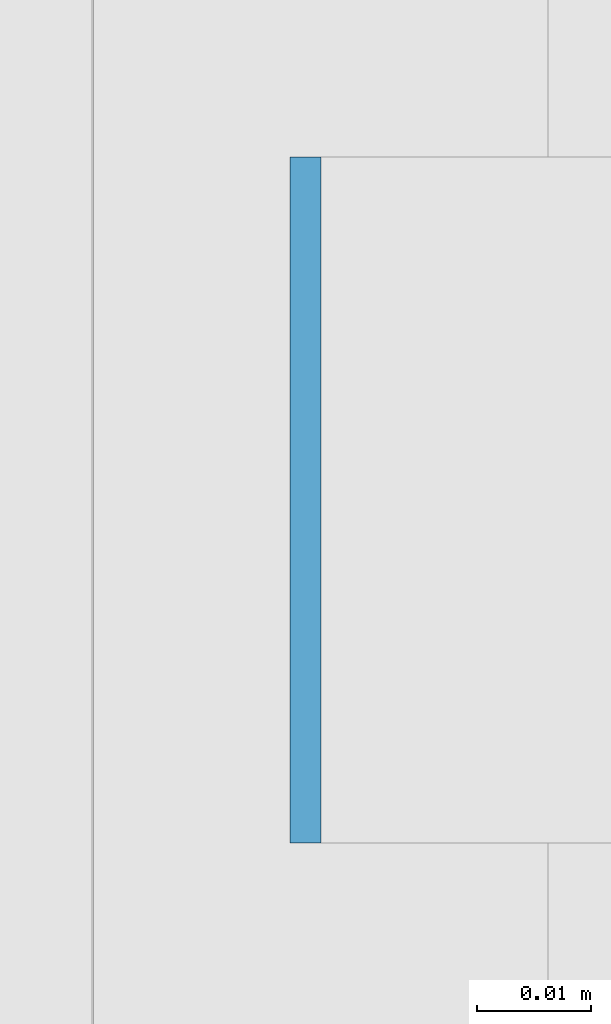
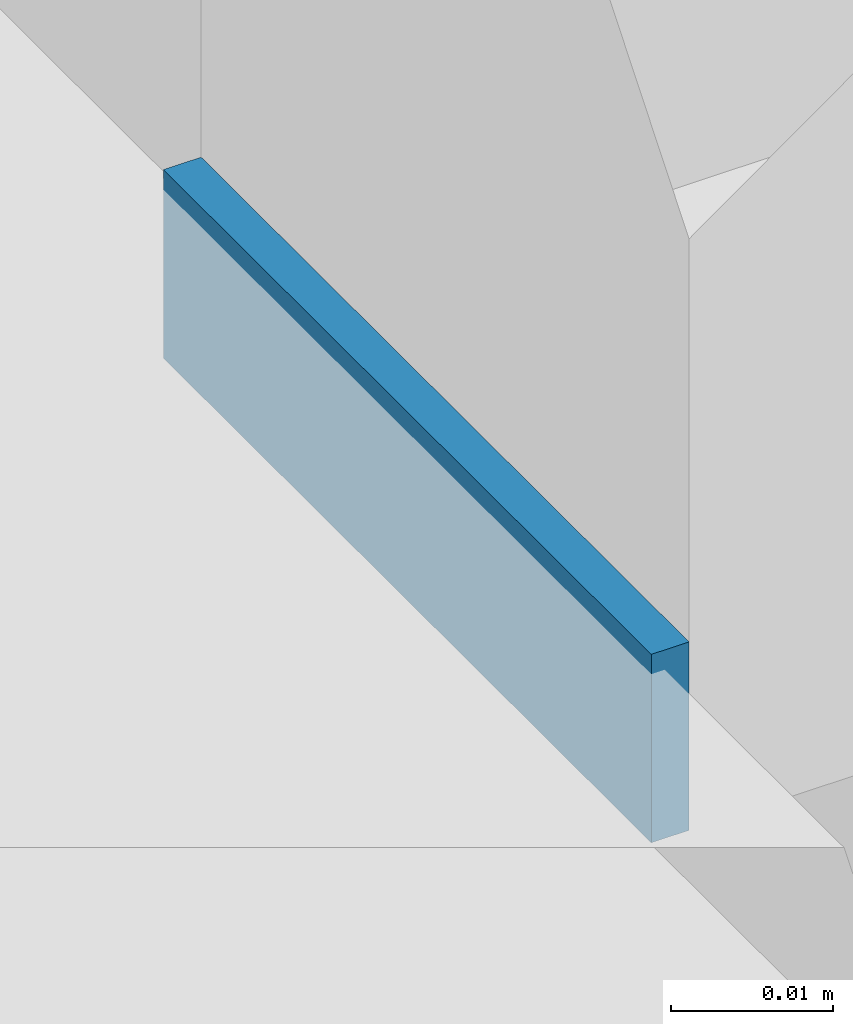
# One storey, part 522 of 646: 1 discrete accessory.
"""IFC4 building model written with IfcOpenShell, lengths in metres."""

from ifc_helpers import new_model, si_unit, direction, frame, origin, origin_2d, place, context, subcontext, project, spatial, rectangle, extrude, material, type_object, element, save


model = new_model("IFC4")

# Units and contexts
model_context = context("Model", 3, precision=1e-05, world=origin(), true_north=direction((0.0, 1.0)))
body_context = subcontext(model_context, "Body", "Model", "MODEL_VIEW")
ifc_project = project(units=[si_unit("LENGTHUNIT", "METRE"), si_unit("AREAUNIT", "SQUARE_METRE"), si_unit("VOLUMEUNIT", "CUBIC_METRE"), si_unit("PLANEANGLEUNIT", "RADIAN"), si_unit("MASSUNIT", "GRAM", prefix="KILO")], contexts=[model_context])

# Site, building, storey
site_placement = place(None, origin())
site = spatial("IfcSite", under=ifc_project, at=site_placement, CompositionType="ELEMENT")
building_placement = place(site_placement, origin())
building = spatial("IfcBuilding", under=site, at=building_placement, Name="Silverbay Arena", CompositionType="ELEMENT")
storey_placement = place(building_placement, frame((0.0, 0.0, 33.5)))
storey = spatial("IfcBuildingStorey", under=building, at=storey_placement, Name="L05", CompositionType="ELEMENT", Elevation=33.5)

# Discrete accessory
ifc_material = material(Name="Steel S355", Category="steel")
discrete_accessory_type = type_object("IfcDiscreteAccessoryType", Name="Steel bracket plate", PredefinedType="BRACKET", material=ifc_material)
discrete_accessory_placement = place(storey_placement, frame((207.128662109375, 79.71435546875, 4.0), z_axis=(0.0, 0.0, 1.0), x_axis=(1.0, 0.0, 0.0)))
element("IfcDiscreteAccessory", 1, at=discrete_accessory_placement, inside=storey, type_object=discrete_accessory_type, Name="Curtain wall packing plate", PredefinedType="BRACKET", context=body_context, shape_type="SweptSolid", body=[
    extrude(rectangle(XDim=0.002685546875, YDim=0.06005859375, at=origin_2d()), origin(), (0.0, 0.0, 1.0), 0.01416015625),
])

save(model, "model.ifc")
